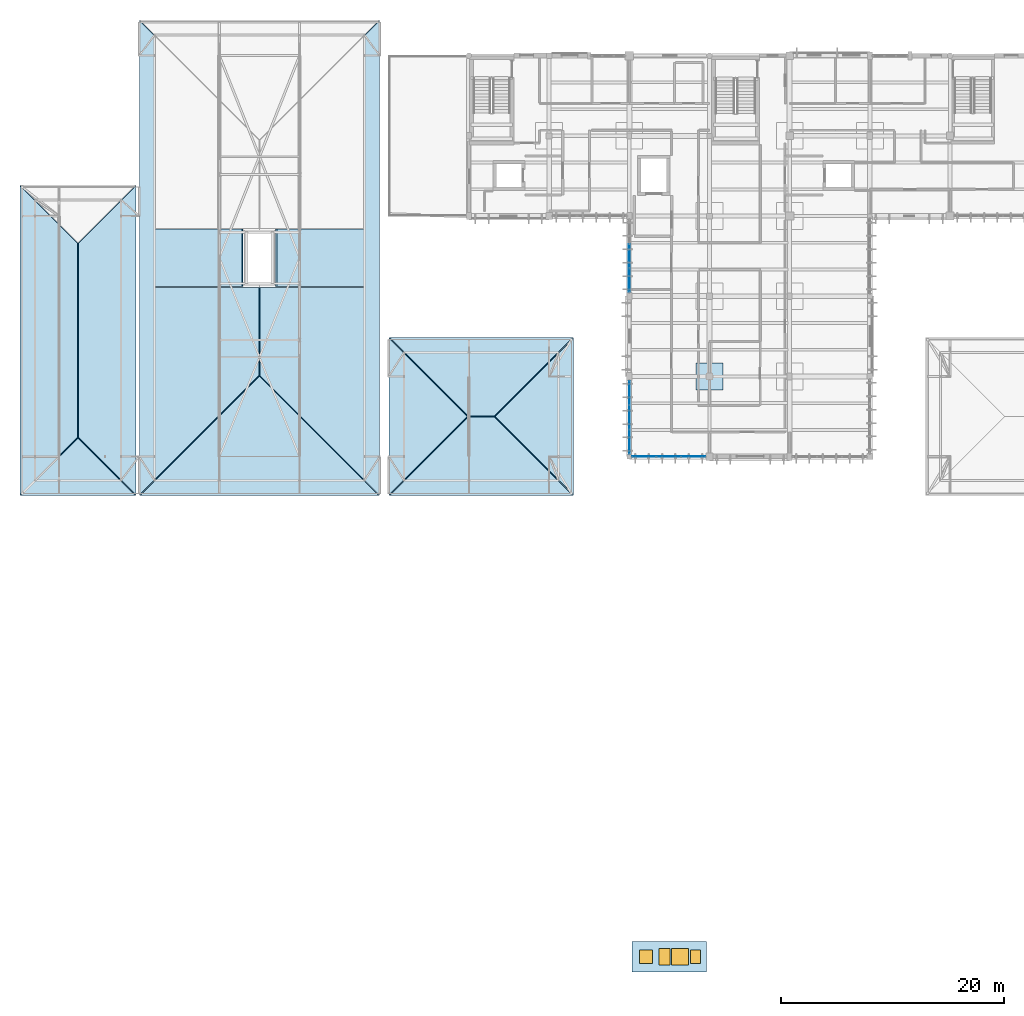
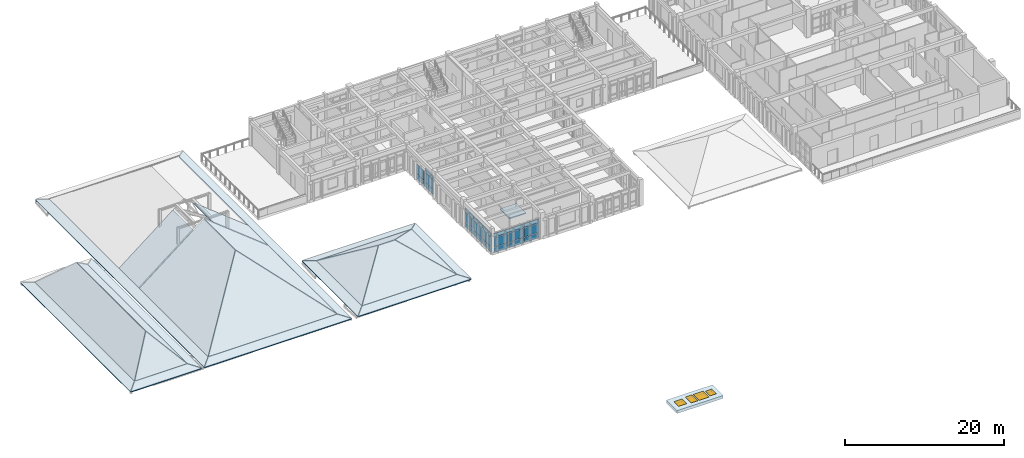
# One storey, part 23 of 51: 24 slabs, 23 plates, 2 doors, 2 windows, 4 openings, 6 elements without a shape of their own.
"""IFC4 building model written with IfcOpenShell, lengths in metres."""

from ifc_helpers import new_model, si_unit, direction, frame, origin, origin_2d, place, context, subcontext, project, spatial, polyline, rectangle, outline, extrude, material, layer, layer_set, type_object, element, fill, aggregate, save


model = new_model("IFC4")

# Units and contexts
model_context = context("Model", 3, precision=1e-05, world=origin(), true_north=direction((0.0, 1.0)))
body_context = subcontext(model_context, "Body", "Model", "MODEL_VIEW")
ifc_project = project(units=[si_unit("LENGTHUNIT", "METRE"), si_unit("AREAUNIT", "SQUARE_METRE"), si_unit("VOLUMEUNIT", "CUBIC_METRE"), si_unit("PLANEANGLEUNIT", "RADIAN"), si_unit("MASSUNIT", "GRAM", prefix="KILO")], contexts=[model_context])

# Site, building, storey
site_placement = place(None, origin())
site = spatial("IfcSite", under=ifc_project, at=site_placement, CompositionType="ELEMENT")
building_placement = place(site_placement, origin())
building = spatial("IfcBuilding", under=site, at=building_placement, Name="Steenspoor Specialist Clinic", CompositionType="ELEMENT")
storey_placement = place(building_placement, frame((0.0, 0.0, 17.39990234375)))
storey = spatial("IfcBuildingStorey", under=building, at=storey_placement, Name="L04", CompositionType="ELEMENT", Elevation=17.39990234375)

# Curtain wall, plates
ifc_material_1 = material(Name="Thermally broken aluminium and low-emissivity glass", Category="aluminium")
curtain_wall_type_1 = type_object("IfcCurtainWallType", Name="CW-HALL-480X820", PredefinedType="USERDEFINED", material=ifc_material_1)
curtain_wall_1_placement = place(storey_placement, origin())
curtain_wall_1 = element("IfcCurtainWall", 1, at=curtain_wall_1_placement, inside=storey, type_object=curtain_wall_type_1, Name="Unitised Curtain Wall CW-V4-L04-123", ObjectType="UNITISED GLAZING", PredefinedType="USERDEFINED")
ifc_material_2 = material(Name="Double low-emissivity insulated glass", Category="glass")
ifc_layer_1 = layer(ifc_material_2, 0.035888671875)
ifc_layer_set_1 = layer_set([ifc_layer_1], Name="Double low-emissivity insulated glass")
plate_type_1 = type_object("IfcPlateType", Name="CW-PAN-GL36", PredefinedType="CURTAIN_PANEL", material=ifc_layer_set_1)
plate_1_placement = place(storey_placement, frame((79.746337890625, 72.35009765625, 0.06005859375), z_axis=(0.0, 0.0, 1.0), x_axis=(-1.0, 0.0, 0.0)))
plate_1 = element("IfcPlate", 2, at=plate_1_placement, type_object=plate_type_1, Name="CW-03 panel 1.1", PredefinedType="CURTAIN_PANEL", context=body_context, shape_type="SweptSolid", body=[
    extrude(rectangle(XDim=2.12744140625, YDim=0.035888671875, at=origin_2d()), origin(), (0.0, 0.0, 1.0), 0.81005859375),
])
plate_2_placement = place(storey_placement, frame((79.746337890625, 72.35009765625, 0.93017578125), z_axis=(0.0, 0.0, 1.0), x_axis=(-1.0, 0.0, 0.0)))
plate_2 = element("IfcPlate", 3, at=plate_2_placement, type_object=plate_type_1, Name="CW-03 panel 1.2", PredefinedType="CURTAIN_PANEL", context=body_context, shape_type="SweptSolid", body=[
    extrude(rectangle(XDim=2.12744140625, YDim=0.035888671875, at=origin_2d()), origin(), (0.0, 0.0, 1.0), 1.389892578125),
])
plate_3_placement = place(storey_placement, frame((79.746337890625, 72.35009765625, 2.38037109375), z_axis=(0.0, 0.0, 1.0), x_axis=(-1.0, 0.0, 0.0)))
plate_3 = element("IfcPlate", 4, at=plate_3_placement, type_object=plate_type_1, Name="CW-03 panel 1.3", PredefinedType="CURTAIN_PANEL", context=body_context, shape_type="SweptSolid", body=[
    extrude(rectangle(XDim=2.12744140625, YDim=0.035888671875, at=origin_2d()), origin(), (0.0, 0.0, 1.0), 0.659912109375),
])
plate_4_placement = place(storey_placement, frame((77.53759765625, 72.35009765625, 0.06005859375), z_axis=(0.0, 0.0, 1.0), x_axis=(-1.0, 0.0, 0.0)))
plate_4 = element("IfcPlate", 5, at=plate_4_placement, type_object=plate_type_1, Name="CW-03 panel 2.1", PredefinedType="CURTAIN_PANEL", context=body_context, shape_type="SweptSolid", body=[
    extrude(rectangle(XDim=2.159912109375, YDim=0.035888671875, at=origin_2d()), origin(), (0.0, 0.0, 1.0), 0.81005859375),
])
plate_5_placement = place(storey_placement, frame((77.53759765625, 72.35009765625, 0.93017578125), z_axis=(0.0, 0.0, 1.0), x_axis=(-1.0, 0.0, 0.0)))
plate_5 = element("IfcPlate", 6, at=plate_5_placement, type_object=plate_type_1, Name="CW-03 panel 2.2", PredefinedType="CURTAIN_PANEL", context=body_context, shape_type="SweptSolid", body=[
    extrude(rectangle(XDim=2.159912109375, YDim=0.035888671875, at=origin_2d()), origin(), (0.0, 0.0, 1.0), 1.389892578125),
])
plate_6_placement = place(storey_placement, frame((77.53759765625, 72.35009765625, 2.38037109375), z_axis=(0.0, 0.0, 1.0), x_axis=(-1.0, 0.0, 0.0)))
plate_6 = element("IfcPlate", 7, at=plate_6_placement, type_object=plate_type_1, Name="CW-03 panel 2.3", PredefinedType="CURTAIN_PANEL", context=body_context, shape_type="SweptSolid", body=[
    extrude(rectangle(XDim=2.159912109375, YDim=0.035888671875, at=origin_2d()), origin(), (0.0, 0.0, 1.0), 0.659912109375),
])
plate_7_placement = place(storey_placement, frame((75.328857421875, 72.35009765625, 0.06005859375), z_axis=(0.0, 0.0, 1.0), x_axis=(-1.0, 0.0, 0.0)))
plate_7 = element("IfcPlate", 8, at=plate_7_placement, type_object=plate_type_1, Name="CW-03 panel 3.1", PredefinedType="CURTAIN_PANEL", context=body_context, shape_type="SweptSolid", body=[
    extrude(rectangle(XDim=2.12744140625, YDim=0.035888671875, at=origin_2d()), origin(), (0.0, 0.0, 1.0), 0.81005859375),
])
plate_8_placement = place(storey_placement, frame((75.328857421875, 72.35009765625, 0.93017578125), z_axis=(0.0, 0.0, 1.0), x_axis=(-1.0, 0.0, 0.0)))
plate_8 = element("IfcPlate", 9, at=plate_8_placement, type_object=plate_type_1, Name="CW-03 panel 3.2", PredefinedType="CURTAIN_PANEL", context=body_context, shape_type="SweptSolid", body=[
    extrude(rectangle(XDim=2.12744140625, YDim=0.035888671875, at=origin_2d()), origin(), (0.0, 0.0, 1.0), 1.389892578125),
])
plate_9_placement = place(storey_placement, frame((75.328857421875, 72.35009765625, 2.38037109375), z_axis=(0.0, 0.0, 1.0), x_axis=(-1.0, 0.0, 0.0)))
plate_9 = element("IfcPlate", 10, at=plate_9_placement, type_object=plate_type_1, Name="CW-03 panel 3.3", PredefinedType="CURTAIN_PANEL", context=body_context, shape_type="SweptSolid", body=[
    extrude(rectangle(XDim=2.12744140625, YDim=0.035888671875, at=origin_2d()), origin(), (0.0, 0.0, 1.0), 0.659912109375),
])
aggregate(curtain_wall_1, [plate_1, plate_2, plate_3, plate_4, plate_5, plate_6, plate_7, plate_8, plate_9])

curtain_wall_type_2 = type_object("IfcCurtainWallType", Name="CW-L00-660X415", PredefinedType="USERDEFINED", material=ifc_material_1)
curtain_wall_2_placement = place(storey_placement, origin())
curtain_wall_2 = element("IfcCurtainWall", 11, at=curtain_wall_2_placement, inside=storey, type_object=curtain_wall_type_2, Name="Unitised Curtain Wall CW-V4-L04-124", ObjectType="UNITISED GLAZING", PredefinedType="USERDEFINED")
ifc_material_3 = material(Name="Triple acoustic laminated low-emissivity glass", Category="glass")
ifc_layer_2 = layer(ifc_material_3, 0.048095703125)
ifc_layer_set_2 = layer_set([ifc_layer_2], Name="Triple acoustic laminated low-emissivity glass")
plate_type_2 = type_object("IfcPlateType", Name="CW-PAN-GL48", PredefinedType="CURTAIN_PANEL", material=ifc_layer_set_2)
plate_10_placement = place(storey_placement, frame((74.0, 73.67333984375, 0.09033203125), z_axis=(0.0, 0.0, 1.0), x_axis=(0.0, 1.0, 0.0)))
plate_10 = element("IfcPlate", 12, at=plate_10_placement, type_object=plate_type_2, Name="CW-04 panel 1.1", PredefinedType="CURTAIN_PANEL", context=body_context, shape_type="SweptSolid", body=[
    extrude(rectangle(XDim=2.126708984375, YDim=0.048095703125, at=origin_2d()), origin(), (0.0, 0.0, 1.0), 0.764892578125),
])
plate_11_placement = place(storey_placement, frame((74.0, 73.67333984375, 0.94482421875), z_axis=(0.0, 0.0, 1.0), x_axis=(0.0, 1.0, 0.0)))
plate_11 = element("IfcPlate", 13, at=plate_11_placement, type_object=plate_type_2, Name="CW-04 panel 1.2", PredefinedType="CURTAIN_PANEL", context=body_context, shape_type="SweptSolid", body=[
    extrude(rectangle(XDim=2.126708984375, YDim=0.048095703125, at=origin_2d()), origin(), (0.0, 0.0, 1.0), 1.360107421875),
])
plate_12_placement = place(storey_placement, frame((74.0, 73.67333984375, 2.39501953125), z_axis=(0.0, 0.0, 1.0), x_axis=(0.0, 1.0, 0.0)))
plate_12 = element("IfcPlate", 14, at=plate_12_placement, type_object=plate_type_2, Name="CW-04 panel 1.3", PredefinedType="CURTAIN_PANEL", context=body_context, shape_type="SweptSolid", body=[
    extrude(rectangle(XDim=2.126708984375, YDim=0.048095703125, at=origin_2d()), origin(), (0.0, 0.0, 1.0), 0.614990234375),
])
plate_13_placement = place(storey_placement, frame((74.0, 75.875, 0.09033203125), z_axis=(0.0, 0.0, 1.0), x_axis=(0.0, 1.0, 0.0)))
plate_13 = element("IfcPlate", 15, at=plate_13_placement, type_object=plate_type_2, Name="CW-04 panel 2.1", PredefinedType="CURTAIN_PANEL", context=body_context, shape_type="SweptSolid", body=[
    extrude(rectangle(XDim=2.15673828125, YDim=0.048095703125, at=origin_2d()), origin(), (0.0, 0.0, 1.0), 0.764892578125),
])
plate_14_placement = place(storey_placement, frame((74.0, 75.875, 0.94482421875), z_axis=(0.0, 0.0, 1.0), x_axis=(0.0, 1.0, 0.0)))
plate_14 = element("IfcPlate", 16, at=plate_14_placement, type_object=plate_type_2, Name="CW-04 panel 2.2", PredefinedType="CURTAIN_PANEL", context=body_context, shape_type="SweptSolid", body=[
    extrude(rectangle(XDim=2.15673828125, YDim=0.048095703125, at=origin_2d()), origin(), (0.0, 0.0, 1.0), 1.360107421875),
])
plate_15_placement = place(storey_placement, frame((74.0, 75.875, 2.39501953125), z_axis=(0.0, 0.0, 1.0), x_axis=(0.0, 1.0, 0.0)))
plate_15 = element("IfcPlate", 17, at=plate_15_placement, type_object=plate_type_2, Name="CW-04 panel 2.3", PredefinedType="CURTAIN_PANEL", context=body_context, shape_type="SweptSolid", body=[
    extrude(rectangle(XDim=2.15673828125, YDim=0.048095703125, at=origin_2d()), origin(), (0.0, 0.0, 1.0), 0.614990234375),
])
plate_16_placement = place(storey_placement, frame((74.0, 78.07666015625, 0.09033203125), z_axis=(0.0, 0.0, 1.0), x_axis=(0.0, 1.0, 0.0)))
plate_16 = element("IfcPlate", 18, at=plate_16_placement, type_object=plate_type_2, Name="CW-04 panel 3.1", PredefinedType="CURTAIN_PANEL", context=body_context, shape_type="SweptSolid", body=[
    extrude(rectangle(XDim=2.126708984375, YDim=0.048095703125, at=origin_2d()), origin(), (0.0, 0.0, 1.0), 0.764892578125),
])
plate_17_placement = place(storey_placement, frame((74.0, 78.07666015625, 0.94482421875), z_axis=(0.0, 0.0, 1.0), x_axis=(0.0, 1.0, 0.0)))
plate_17 = element("IfcPlate", 19, at=plate_17_placement, type_object=plate_type_2, Name="CW-04 panel 3.2", PredefinedType="CURTAIN_PANEL", context=body_context, shape_type="SweptSolid", body=[
    extrude(rectangle(XDim=2.126708984375, YDim=0.048095703125, at=origin_2d()), origin(), (0.0, 0.0, 1.0), 1.360107421875),
])
plate_18_placement = place(storey_placement, frame((74.0, 78.07666015625, 2.39501953125), z_axis=(0.0, 0.0, 1.0), x_axis=(0.0, 1.0, 0.0)))
plate_18 = element("IfcPlate", 20, at=plate_18_placement, type_object=plate_type_2, Name="CW-04 panel 3.3", PredefinedType="CURTAIN_PANEL", context=body_context, shape_type="SweptSolid", body=[
    extrude(rectangle(XDim=2.126708984375, YDim=0.048095703125, at=origin_2d()), origin(), (0.0, 0.0, 1.0), 0.614990234375),
])
aggregate(curtain_wall_2, [plate_10, plate_11, plate_12, plate_13, plate_14, plate_15, plate_16, plate_17, plate_18])

curtain_wall_type_3 = type_object("IfcCurtainWallType", Name="CW-L00-650X415", PredefinedType="USERDEFINED", material=ifc_material_1)
curtain_wall_3_placement = place(storey_placement, origin())
curtain_wall_3 = element("IfcCurtainWall", 21, at=curtain_wall_3_placement, inside=storey, type_object=curtain_wall_type_3, Name="Unitised Curtain Wall CW-V4-L04-125", ObjectType="UNITISED GLAZING", PredefinedType="USERDEFINED")
ifc_material_4 = material(Name="Insulated glazed ceramic spandrel panel", Category="glass")
ifc_layer_3 = layer(ifc_material_4, 0.074951171875)
ifc_layer_set_3 = layer_set([ifc_layer_3], Name="Insulated glazed ceramic spandrel panel")
plate_type_3 = type_object("IfcPlateType", Name="CW-PAN-SP75", PredefinedType="CURTAIN_PANEL", material=ifc_layer_set_3)
plate_19_placement = place(storey_placement, frame((74.0, 88.193359375, 0.080078125), z_axis=(0.0, 0.0, 1.0), x_axis=(0.0, 1.0, 0.0)))
plate_19 = element("IfcPlate", 22, at=plate_19_placement, type_object=plate_type_3, Name="CW-05 panel 1.1", PredefinedType="CURTAIN_PANEL", context=body_context, shape_type="SweptSolid", body=[
    extrude(rectangle(XDim=2.056640625, YDim=0.074951171875, at=origin_2d()), origin(), (0.0, 0.0, 1.0), 0.780029296875),
])
plate_20_placement = place(storey_placement, frame((74.0, 88.193359375, 0.93994140625), z_axis=(0.0, 0.0, 1.0), x_axis=(0.0, 1.0, 0.0)))
plate_20 = element("IfcPlate", 23, at=plate_20_placement, type_object=plate_type_3, Name="CW-05 panel 1.2", PredefinedType="CURTAIN_PANEL", context=body_context, shape_type="SweptSolid", body=[
    extrude(rectangle(XDim=2.056640625, YDim=0.074951171875, at=origin_2d()), origin(), (0.0, 0.0, 1.0), 1.3701171875),
])
plate_21_placement = place(storey_placement, frame((74.0, 88.193359375, 2.39013671875), z_axis=(0.0, 0.0, 1.0), x_axis=(0.0, 1.0, 0.0)))
plate_21 = element("IfcPlate", 24, at=plate_21_placement, type_object=plate_type_3, Name="CW-05 panel 1.3", PredefinedType="CURTAIN_PANEL", context=body_context, shape_type="SweptSolid", body=[
    extrude(rectangle(XDim=2.056640625, YDim=0.074951171875, at=origin_2d()), origin(), (0.0, 0.0, 1.0), 0.6298828125),
])
plate_22_placement = place(storey_placement, frame((74.0, 90.362548828125, 0.080078125), z_axis=(0.0, 0.0, 1.0), x_axis=(0.0, 1.0, 0.0)))
plate_22 = element("IfcPlate", 25, at=plate_22_placement, type_object=plate_type_3, Name="CW-05 panel 2.1", PredefinedType="CURTAIN_PANEL", context=body_context, shape_type="SweptSolid", body=[
    extrude(rectangle(XDim=2.1015625, YDim=0.074951171875, at=origin_2d()), origin(), (0.0, 0.0, 1.0), 0.780029296875),
])
plate_23_placement = place(storey_placement, frame((74.0, 90.362548828125, 0.93994140625), z_axis=(0.0, 0.0, 1.0), x_axis=(0.0, 1.0, 0.0)))
plate_23 = element("IfcPlate", 26, at=plate_23_placement, type_object=plate_type_3, Name="CW-05 panel 2.2", PredefinedType="CURTAIN_PANEL", context=body_context, shape_type="SweptSolid", body=[
    extrude(rectangle(XDim=2.1015625, YDim=0.074951171875, at=origin_2d()), origin(), (0.0, 0.0, 1.0), 1.3701171875),
])
aggregate(curtain_wall_3, [plate_19, plate_20, plate_21, plate_22, plate_23])

# Slab, openings, doors, windows
ifc_material_5 = material(Name="Concrete C35/45", Category="concrete")
ifc_layer_4 = layer(ifc_material_5, 0.219970703125)
ifc_layer_set_4 = layer_set([ifc_layer_4], Name="Concrete C35/45")
slab_type_1 = type_object("IfcSlabType", Name="SL-CURB-220", PredefinedType="ROOF", material=ifc_layer_set_4)
slab_1_placement = place(storey_placement, frame((0.0, 0.0, 3.340087890625)))
slab_1 = element("IfcSlab", 27, at=slab_1_placement, inside=storey, type_object=slab_type_1, Name="Roof Skylight Curb Slab V1", PredefinedType="ROOF", context=body_context, shape_type="SweptSolid", body=[
    extrude(outline(polyline([(74.25, 26.10009765625), (74.25, 28.800048828125), (80.949951171875, 28.800048828125), (80.949951171875, 26.10009765625), (74.25, 26.10009765625)]), holes=[polyline([(74.89990234375, 26.85009765625), (76.10009765625, 26.85009765625), (76.10009765625, 28.050048828125), (74.89990234375, 28.050048828125), (74.89990234375, 26.85009765625)]), polyline([(76.64990234375, 26.699951171875), (77.64990234375, 26.699951171875), (77.64990234375, 28.199951171875), (76.64990234375, 28.199951171875), (76.64990234375, 26.699951171875)]), polyline([(77.800048828125, 26.699951171875), (79.300048828125, 26.699951171875), (79.300048828125, 28.199951171875), (77.800048828125, 28.199951171875), (77.800048828125, 26.699951171875)]), polyline([(79.5, 26.85009765625), (80.39990234375, 26.85009765625), (80.39990234375, 28.050048828125), (79.5, 28.050048828125), (79.5, 26.85009765625)])]), origin(), (0.0, 0.0, 1.0), 0.43994140625),
])
opening_1_placement = place(slab_1_placement, frame((75.5, 27.449951171875, -0.010009765625)))
opening_1 = element("IfcOpeningElement", 28, at=opening_1_placement, cuts=slab_1, Name="Opening SK-01", PredefinedType="OPENING", context=body_context, shape_type="SweptSolid", body=[
    extrude(rectangle(XDim=1.199951171875, YDim=1.199951171875, at=origin_2d()), origin(), (0.0, 0.0, 1.0), 0.4599609375),
])
opening_2_placement = place(slab_1_placement, frame((77.14990234375, 27.449951171875, -0.010009765625)))
opening_2 = element("IfcOpeningElement", 29, at=opening_2_placement, cuts=slab_1, Name="Opening HT01", PredefinedType="OPENING", context=body_context, shape_type="SweptSolid", body=[
    extrude(rectangle(XDim=1.0, YDim=1.5, at=origin_2d()), origin(), (0.0, 0.0, 1.0), 0.4599609375),
])
opening_3_placement = place(slab_1_placement, frame((78.550048828125, 27.449951171875, -0.010009765625)))
opening_3 = element("IfcOpeningElement", 30, at=opening_3_placement, cuts=slab_1, Name="Opening SK-02", PredefinedType="OPENING", context=body_context, shape_type="SweptSolid", body=[
    extrude(rectangle(XDim=1.5, YDim=1.5, at=origin_2d()), origin(), (0.0, 0.0, 1.0), 0.4599609375),
])
opening_4_placement = place(slab_1_placement, frame((79.949951171875, 27.449951171875, -0.010009765625)))
opening_4 = element("IfcOpeningElement", 31, at=opening_4_placement, cuts=slab_1, Name="Opening HT02", PredefinedType="OPENING", context=body_context, shape_type="SweptSolid", body=[
    extrude(rectangle(XDim=0.89990234375, YDim=1.199951171875, at=origin_2d()), origin(), (0.0, 0.0, 1.0), 0.4599609375),
])
ifc_material_6 = material(Name="Insulated aluminium roof hatch", Category="aluminium")
door_type_1 = type_object("IfcDoorType", Name="DT-HATCH-090X120", OperationType="NOTDEFINED", PredefinedType="TRAPDOOR", material=ifc_material_6)
door_1_placement = place(slab_1_placement, frame((79.949951171875, 27.449951171875, 0.3798828125)))
door_1 = element("IfcDoor", 32, at=door_1_placement, inside=storey, type_object=door_type_1, Name="Roof Access Hatch HT02", OperationType="SINGLE_SWING_LEFT", OverallHeight=1.199951171875, OverallWidth=0.89990234375, PredefinedType="TRAPDOOR", context=body_context, shape_type="SweptSolid", body=[
    extrude(rectangle(XDim=0.89990234375, YDim=1.199951171875, at=origin_2d()), origin(), (0.0, 0.0, 1.0), 0.06005859375),
])
fill(opening_4, door_1)
door_type_2 = type_object("IfcDoorType", Name="DT-HATCH-100X150", OperationType="NOTDEFINED", PredefinedType="TRAPDOOR", material=ifc_material_6)
door_2_placement = place(slab_1_placement, frame((77.14990234375, 27.449951171875, 0.3798828125)))
door_2 = element("IfcDoor", 33, at=door_2_placement, inside=storey, type_object=door_type_2, Name="Roof Access Hatch HT01", OperationType="SINGLE_SWING_LEFT", OverallHeight=1.5, OverallWidth=1.0, PredefinedType="TRAPDOOR", context=body_context, shape_type="SweptSolid", body=[
    extrude(rectangle(XDim=1.0, YDim=1.5, at=origin_2d()), origin(), (0.0, 0.0, 1.0), 0.06005859375),
])
fill(opening_2, door_2)
window_type_1 = type_object("IfcWindowType", Name="SK-ROOF-120X120", PartitioningType="SINGLE_PANEL", PredefinedType="SKYLIGHT", material=ifc_material_1)
window_1_placement = place(slab_1_placement, frame((75.5, 27.449951171875, 0.3798828125)))
window_1 = element("IfcWindow", 34, at=window_1_placement, inside=storey, type_object=window_type_1, Name="Roof Skylight V1 1", OverallHeight=1.199951171875, OverallWidth=1.199951171875, PartitioningType="SINGLE_PANEL", PredefinedType="SKYLIGHT", context=body_context, shape_type="SweptSolid", body=[
    extrude(rectangle(XDim=1.199951171875, YDim=1.199951171875, at=origin_2d()), origin(), (0.0, 0.0, 1.0), 0.06005859375),
])
fill(opening_1, window_1)
window_type_2 = type_object("IfcWindowType", Name="SK-ROOF-150X150", PartitioningType="SINGLE_PANEL", PredefinedType="SKYLIGHT", material=ifc_material_1)
window_2_placement = place(slab_1_placement, frame((78.550048828125, 27.449951171875, 0.3798828125)))
window_2 = element("IfcWindow", 35, at=window_2_placement, inside=storey, type_object=window_type_2, Name="Roof Skylight V1 2", OverallHeight=1.5, OverallWidth=1.5, PartitioningType="SINGLE_PANEL", PredefinedType="SKYLIGHT", context=body_context, shape_type="SweptSolid", body=[
    extrude(rectangle(XDim=1.5, YDim=1.5, at=origin_2d()), origin(), (0.0, 0.0, 1.0), 0.06005859375),
])
fill(opening_3, window_2)

# Slab
ifc_layer_5 = layer(ifc_material_5, 0.169921875)
ifc_layer_set_5 = layer_set([ifc_layer_5], Name="Concrete C35/45")
slab_type_2 = type_object("IfcSlabType", Name="SL-DROP-170", PredefinedType="USERDEFINED", material=ifc_layer_set_5)
slab_2_placement = place(storey_placement, frame((0.0, 0.0, -0.419921875)))
element("IfcSlab", 36, at=slab_2_placement, inside=storey, type_object=slab_type_2, Name="Column Drop Panel DROP-V4-L04-076", ObjectType="DROP PANEL", PredefinedType="USERDEFINED", context=body_context, shape_type="SweptSolid", body=[
    extrude(outline(polyline([(82.39990234375, 78.35009765625), (82.39990234375, 80.75), (80.0, 80.75), (80.0, 78.35009765625), (82.39990234375, 78.35009765625)])), origin(), (0.0, 0.0, 1.0), 0.169921875),
])

# Roof, slabs
ifc_material_7 = material(Name="Extruded terracotta clay roof tile", Category="masonry")
roof_type = type_object("IfcRoofType", Name="ROOF-HIP-TIER", PredefinedType="HIP_ROOF", material=ifc_material_7)
roof_1_placement = place(storey_placement, origin())
roof_1 = element("IfcRoof", 37, at=roof_1_placement, inside=storey, type_object=roof_type, Name="Tiered Hipped Roof V4T2W", PredefinedType="HIP_ROOF")
ifc_layer_6 = layer(ifc_material_5, 0.14990234375)
ifc_layer_set_6 = layer_set([ifc_layer_6], Name="Concrete C35/45")
slab_type_3 = type_object("IfcSlabType", Name="SL-ROOF-150", PredefinedType="ROOF", material=ifc_layer_set_6)
slab_3_placement = place(storey_placement, frame((53.830322265625, 70.19091796875, 0.33447265625), z_axis=(0.0, -0.242036762378, 0.970267079549), x_axis=(-0.69635668215, -0.69635668215, -0.173708786334)))
slab_3 = element("IfcSlab", 38, at=slab_3_placement, type_object=slab_type_3, Name="Hipped Roof Slab RSLAB-V4T2W-SKS", PredefinedType="ROOF", context=body_context, shape_type="SweptSolid", body=[
    extrude(outline(polyline([(0.0, 0.0), (1.9254792075231886, -6.938893903907228e-17), (-9.530404256834121, 11.806938219193654), (-9.58833508705758, 9.882160581507522), (0.0, 0.0)])), origin(), (0.0, 0.0, -1.0), 0.14990234375),
])
slab_4_placement = place(storey_placement, frame((67.599609375, 81.708984375, 0.33447265625), z_axis=(0.0, 0.241995280227, 0.970277426486), x_axis=(0.696360507135, 0.696360507135, -0.173678116653)))
slab_4 = element("IfcSlab", 39, at=slab_4_placement, type_object=slab_type_3, Name="Hipped Roof Slab RSLAB-V4T2W-SKN", PredefinedType="ROOF", context=body_context, shape_type="SweptSolid", body=[
    extrude(outline(polyline([(0.0, 0.0), (1.9258192263683114, -5.551115123125783e-17), (-9.530127163478822, 11.80687716433687), (-9.588387754377722, 9.882109479868145), (0.0, 0.0)])), origin(), (0.0, 0.0, -1.0), 0.14990234375),
])
slab_5_placement = place(storey_placement, frame((53.77099609375, 81.649658203125, 0.33447265625), z_axis=(-0.241995280227, 0.0, 0.970277426486), x_axis=(-0.696421983868, 0.696295200328, -0.173693449463)))
slab_5 = element("IfcSlab", 40, at=slab_5_placement, type_object=slab_type_3, Name="Hipped Roof Slab RSLAB-V4T2W-SKW", PredefinedType="ROOF", context=body_context, shape_type="SweptSolid", body=[
    extrude(outline(polyline([(0.0, 0.0), (1.9256492244505445, 5.551115123125783e-17), (-7.8789215700099655, 10.106754803040278), (-7.937187304323387, 8.181817194478702), (0.0, 0.0)])), origin(), (0.0, 0.0, -1.0), 0.14990234375),
])
slab_6_placement = place(storey_placement, frame((67.658935546875, 70.25048828125, 0.33447265625), z_axis=(0.241995280227, 0.0, 0.970277426486), x_axis=(0.696360507135, -0.696360507135, -0.173678116653)))
slab_6 = element("IfcSlab", 41, at=slab_6_placement, type_object=slab_type_3, Name="Hipped Roof Slab RSLAB-V4T2W-SKE", PredefinedType="ROOF", context=body_context, shape_type="SweptSolid", body=[
    extrude(outline(polyline([(0.0, 0.0), (1.9258192263683114, -5.551115123125783e-17), (-7.87967115682092, 10.1058626280763), (-7.937931747719822, 8.181094943607576), (0.0, 0.0)])), origin(), (0.0, 0.0, -1.0), 0.14990234375),
])
slab_7_placement = place(storey_placement, frame((67.58154296875, 70.208984375, 0.3427734375), z_axis=(0.0, -0.557699910409, 0.830042655488), x_axis=(-0.638688856984, 0.638688856984, 0.429130618727)))
slab_7 = element("IfcSlab", 42, at=slab_7_placement, type_object=slab_type_3, Name="Hipped Roof Slab RSLAB-V4T2W-S", PredefinedType="ROOF", context=body_context, shape_type="SweptSolid", body=[
    extrude(outline(polyline([(0.0, 0.0), (8.922927881168928, 0.0), (10.414397343339964, 1.7968588147965425), (8.771212620656852, 10.567182978684823), (0.0, 0.0)])), origin(), (0.0, 0.0, -1.0), 0.14990234375),
])
slab_8_placement = place(storey_placement, frame((53.848388671875, 81.69091796875, 0.3427734375), z_axis=(0.0, 0.557699910409, 0.830042655488), x_axis=(0.638688856984, -0.638688856984, 0.429130618727)))
slab_8 = element("IfcSlab", 43, at=slab_8_placement, type_object=slab_type_3, Name="Hipped Roof Slab RSLAB-V4T2W-N", PredefinedType="ROOF", context=body_context, shape_type="SweptSolid", body=[
    extrude(outline(polyline([(0.0, 0.0), (8.922927881168928, 0.0), (10.414397343339964, 1.7968588147965425), (8.771212620656852, 10.567182978684823), (0.0, 0.0)])), origin(), (0.0, 0.0, -1.0), 0.14990234375),
])
slab_9_placement = place(storey_placement, frame((59.470703125, 75.949951171875, 4.16015625), z_axis=(-0.557692646611, 0.0, 0.830047535938), x_axis=(-0.638691080422, 0.638691080422, -0.429124000236)))
slab_9 = element("IfcSlab", 44, at=slab_9_placement, type_object=slab_type_3, Name="Hipped Roof Slab RSLAB-V4T2W-W", PredefinedType="ROOF", context=body_context, shape_type="SweptSolid", body=[
    extrude(outline(polyline([(0.0, 0.0), (8.895756961634643, 4.440892098500626e-16), (1.6381305829304778, 8.743627400212056), (0.0, 0.0)])), origin(), (0.0, 0.0, -1.0), 0.14990234375),
])
slab_10_placement = place(storey_placement, frame((61.95947265625, 75.949951171875, 4.16015625), z_axis=(0.557692646611, 0.0, 0.830047535938), x_axis=(0.638691080422, -0.638691080422, -0.429124000236)))
slab_10 = element("IfcSlab", 45, at=slab_10_placement, type_object=slab_type_3, Name="Hipped Roof Slab RSLAB-V4T2W-E", PredefinedType="ROOF", context=body_context, shape_type="SweptSolid", body=[
    extrude(outline(polyline([(0.0, 0.0), (8.895756961634643, 4.440892098500626e-16), (1.6381305829304778, 8.743627400212056), (0.0, 0.0)])), origin(), (0.0, 0.0, -1.0), 0.14990234375),
])
aggregate(roof_1, [slab_3, slab_4, slab_5, slab_6, slab_7, slab_8, slab_9, slab_10])

roof_2_placement = place(storey_placement, origin())
roof_2 = element("IfcRoof", 46, at=roof_2_placement, inside=storey, type_object=roof_type, Name="Tiered Hipped Roof V5", PredefinedType="HIP_ROOF")
slab_11_placement = place(storey_placement, frame((31.430419921875, 70.19091796875, 0.33447265625), z_axis=(0.0, -0.242036762378, 0.970267079549), x_axis=(-0.696421983868, -0.696295200328, -0.173693449463)))
slab_11 = element("IfcSlab", 47, at=slab_11_placement, type_object=slab_type_3, Name="Hipped Roof Slab RSLAB-V5-SKS", PredefinedType="ROOF", context=body_context, shape_type="SweptSolid", body=[
    extrude(outline(polyline([(0.0, 0.0), (1.9256492244505445, -1.1102230246251565e-16), (-12.992505386518499, 15.372508329989055), (-13.050431101988124, 13.447900632277268), (0.0, 0.0)])), origin(), (0.0, 0.0, -1.0), 0.14990234375),
])
slab_12_placement = place(storey_placement, frame((31.37109375, 110.149658203125, 0.33447265625), z_axis=(-0.241995280227, 0.0, 0.970277426486), x_axis=(-0.696421983868, 0.696295200328, -0.173693449463)))
slab_12 = element("IfcSlab", 48, at=slab_12_placement, type_object=slab_type_3, Name="Hipped Roof Slab RSLAB-V5-SKW", PredefinedType="ROOF", context=body_context, shape_type="SweptSolid", body=[
    extrude(outline(polyline([(0.0, 0.0), (1.9256492244505445, -5.551115123125783e-17), (-27.723334779354268, 30.562787272138518), (-27.78160051366769, 28.63784966357694), (0.0, 0.0)])), origin(), (0.0, 0.0, -1.0), 0.14990234375),
])
slab_13_placement = place(storey_placement, frame((50.22900390625, 70.25048828125, 0.33447265625), z_axis=(0.241995280227, 0.0, 0.970277426486), x_axis=(0.696360507135, -0.696360507135, -0.173678116653)))
slab_13 = element("IfcSlab", 49, at=slab_13_placement, type_object=slab_type_3, Name="Hipped Roof Slab RSLAB-V5-SKE", PredefinedType="ROOF", context=body_context, shape_type="SweptSolid", body=[
    extrude(outline(polyline([(0.0, 0.0), (1.9258192263683114, -5.551115123125783e-17), (-27.725945610180695, 30.560089338512437), (-27.784206201079595, 28.635321654043715), (0.0, 0.0)])), origin(), (0.0, 0.0, -1.0), 0.14990234375),
])
slab_14_placement = place(storey_placement, frame((40.758056640625, 79.637451171875, 7.766845703125), z_axis=(-0.621004229435, 0.0, 0.783807212919), x_axis=(0.0, 1.0, 0.0)))
slab_14 = element("IfcSlab", 50, at=slab_14_placement, type_object=slab_type_3, Name="Hipped Roof Slab RSLAB-V5-W1", PredefinedType="ROOF", context=body_context, shape_type="SweptSolid", body=[
    extrude(outline(polyline([(0.0, 0.0), (7.91064453125, 0.0), (7.91064453125, 11.953373827868777), (-9.369140625, 11.953373827868777), (0.0, 0.0)])), origin(), (0.0, 0.0, -1.0), 0.14990234375),
])
slab_15_placement = place(storey_placement, frame((31.388916015625, 92.76806640625, 0.34375), z_axis=(-0.621009111551, 0.0, 0.783803344832), x_axis=(0.0, -1.0, 0.0)))
slab_15 = element("IfcSlab", 51, at=slab_15_placement, type_object=slab_type_3, Name="Hipped Roof Slab RSLAB-V5-W3", PredefinedType="ROOF", context=body_context, shape_type="SweptSolid", body=[
    extrude(outline(polyline([(0.0, 0.0), (5.135986328125, 0.0), (5.135986328125, 10.026916714748957), (0.0, 10.026916714748957), (0.0, 0.0)])), origin(), (0.0, 0.0, -1.0), 0.14990234375),
])
slab_16_placement = place(storey_placement, frame((50.2109375, 70.268310546875, 0.34375), z_axis=(0.621014171077, 0.0, 0.783799336132), x_axis=(0.0, 1.0, 0.0)))
slab_16 = element("IfcSlab", 52, at=slab_16_placement, type_object=slab_type_3, Name="Hipped Roof Slab RSLAB-V5-E1", PredefinedType="ROOF", context=body_context, shape_type="SweptSolid", body=[
    extrude(outline(polyline([(0.0, 0.0), (17.27978515625, 0.0), (17.27978515625, 11.953182469647448), (9.369140625, 11.953182469647448), (0.0, 0.0)])), origin(), (0.0, 0.0, -1.0), 0.14990234375),
])
slab_17_placement = place(storey_placement, frame((50.2109375, 87.632080078125, 0.34375), z_axis=(0.621020963327, 0.0, 0.783793954499), x_axis=(0.0, 1.0, 0.0)))
slab_17 = element("IfcSlab", 53, at=slab_17_placement, type_object=slab_type_3, Name="Hipped Roof Slab RSLAB-V5-E3", PredefinedType="ROOF", context=body_context, shape_type="SweptSolid", body=[
    extrude(outline(polyline([(0.0, 0.0), (5.135986328125, 0.0), (5.135986328125, 10.026725357656742), (0.0, 10.026725357656742), (0.0, 0.0)])), origin(), (0.0, 0.0, -1.0), 0.14990234375),
])
slab_18_placement = place(storey_placement, frame((40.800048828125, 79.560546875, 7.7529296875), z_axis=(0.0, -0.621004795501, 0.783806764429), x_axis=(-0.616892867191, -0.616892867191, -0.488760044212)))
slab_18 = element("IfcSlab", 54, at=slab_18_placement, type_object=slab_type_3, Name="Hipped Roof Slab RSLAB-V5-S", PredefinedType="ROOF", context=body_context, shape_type="SweptSolid", body=[
    extrude(outline(polyline([(0.0, 0.0), (15.159135398315932, -4.440892098500626e-16), (3.6213109916388198, 14.72024091943848), (0.0, 0.0)])), origin(), (0.0, 0.0, -1.0), 0.14990234375),
])
aggregate(roof_2, [slab_11, slab_12, slab_13, slab_14, slab_15, slab_16, slab_17, slab_18])

roof_3_placement = place(storey_placement, origin())
roof_3 = element("IfcRoof", 55, at=roof_3_placement, inside=storey, type_object=roof_type, Name="Tiered Hipped Roof V5W", PredefinedType="HIP_ROOF")
slab_19_placement = place(storey_placement, frame((20.700439453125, 70.19091796875, 0.33447265625), z_axis=(0.0, -0.242036762378, 0.970267079549), x_axis=(-0.696421983868, -0.696295200328, -0.173693449463)))
slab_19 = element("IfcSlab", 56, at=slab_19_placement, type_object=slab_type_3, Name="Hipped Roof Slab RSLAB-V5W-SKS", PredefinedType="ROOF", context=body_context, shape_type="SweptSolid", body=[
    extrude(outline(polyline([(0.0, 0.0), (1.9256492244505445, -1.1102230246251565e-16), (-5.2483813388576905, 7.392525916909519), (-5.30613702942891, 5.467743015948056), (0.0, 0.0)])), origin(), (0.0, 0.0, -1.0), 0.14990234375),
])
slab_20_placement = place(storey_placement, frame((20.64111328125, 95.349609375, 0.33447265625), z_axis=(-0.241995280227, 0.0, 0.970277426486), x_axis=(-0.696360507135, 0.696360507135, -0.173678116653)))
slab_20 = element("IfcSlab", 57, at=slab_20_placement, type_object=slab_type_3, Name="Hipped Roof Slab RSLAB-V5W-SKW", PredefinedType="ROOF", context=body_context, shape_type="SweptSolid", body=[
    extrude(outline(polyline([(0.0, 0.0), (1.9258192263683114, -5.551115123125783e-17), (-17.419946112487875, 19.938385466642245), (-17.478036693497334, 18.013442564359732), (0.0, 0.0)])), origin(), (0.0, 0.0, -1.0), 0.14990234375),
])
slab_21_placement = place(storey_placement, frame((28.37890625, 70.25048828125, 0.33447265625), z_axis=(0.241995280227, 0.0, 0.970277426486), x_axis=(0.696360507135, -0.696360507135, -0.173678116653)))
slab_21 = element("IfcSlab", 58, at=slab_21_placement, type_object=slab_type_3, Name="Hipped Roof Slab RSLAB-V5W-SKE", PredefinedType="ROOF", context=body_context, shape_type="SweptSolid", body=[
    extrude(outline(polyline([(0.0, 0.0), (1.9258192263683114, -5.551115123125783e-17), (-17.419946112487875, 19.938385466642245), (-17.478036693497334, 18.013442564359732), (0.0, 0.0)])), origin(), (0.0, 0.0, -1.0), 0.14990234375),
])
slab_22_placement = place(storey_placement, frame((20.658935546875, 70.268310546875, 0.34619140625), z_axis=(-0.725017067657, 0.0, 0.688730899268), x_axis=(0.567216993412, 0.567216993412, 0.597101134457)))
slab_22 = element("IfcSlab", 59, at=slab_22_placement, type_object=slab_type_3, Name="Hipped Roof Slab RSLAB-V5W-W", PredefinedType="ROOF", context=body_context, shape_type="SweptSolid", body=[
    extrude(outline(polyline([(0.0, 0.0), (6.715387718442985, 0.0), (16.610665423822905, 14.367407816167374), (14.216291339517989, 20.641285812247066), (0.0, 0.0)])), origin(), (0.0, 0.0, -1.0), 0.14990234375),
])
slab_23_placement = place(storey_placement, frame((28.361083984375, 95.33154296875, 0.34619140625), z_axis=(0.725017067657, 0.0, 0.688730899268), x_axis=(-0.567228690209, -0.567192334056, 0.597113447506)))
slab_23 = element("IfcSlab", 60, at=slab_23_placement, type_object=slab_type_3, Name="Hipped Roof Slab RSLAB-V5W-E", PredefinedType="ROOF", context=body_context, shape_type="SweptSolid", body=[
    extrude(outline(polyline([(0.0, 0.0), (6.71524924074185, 2.220446049250313e-16), (16.61009675595537, 14.367704091932337), (14.215673296354467, 20.641711464029356), (0.0, 0.0)])), origin(), (0.0, 0.0, -1.0), 0.14990234375),
])
slab_24_placement = place(storey_placement, frame((24.510009765625, 74.00048828125, 4.337646484375), z_axis=(0.0, -0.725033756677, 0.688713330552), x_axis=(-0.56720717945, -0.56720717945, -0.597119779576)))
slab_24 = element("IfcSlab", 61, at=slab_24_placement, type_object=slab_type_3, Name="Hipped Roof Slab RSLAB-V5W-S", PredefinedType="ROOF", context=body_context, shape_type="SweptSolid", body=[
    extrude(outline(polyline([(0.0, 0.0), (6.684513249512479, 2.220446049250313e-16), (2.3833767764394516, 6.24517674084865), (0.0, 0.0)])), origin(), (0.0, 0.0, -1.0), 0.14990234375),
])
aggregate(roof_3, [slab_19, slab_20, slab_21, slab_22, slab_23, slab_24])

save(model, "model.ifc")
